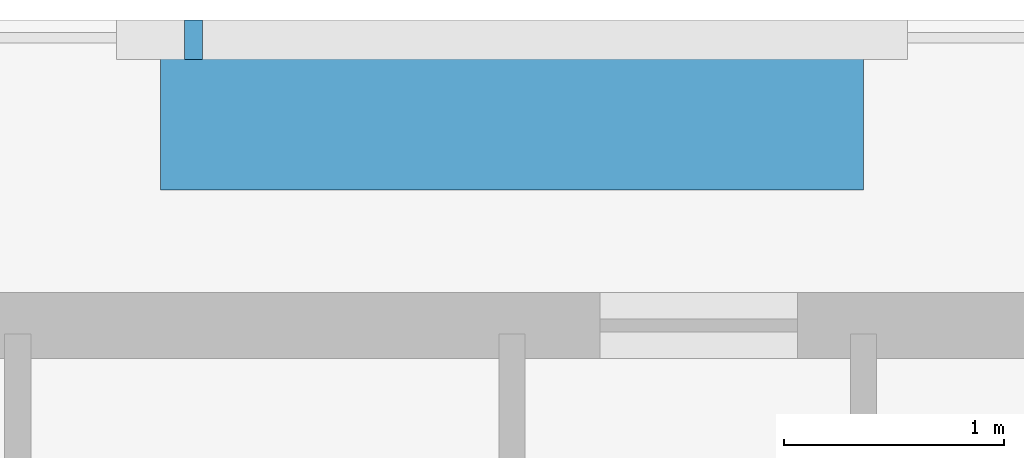
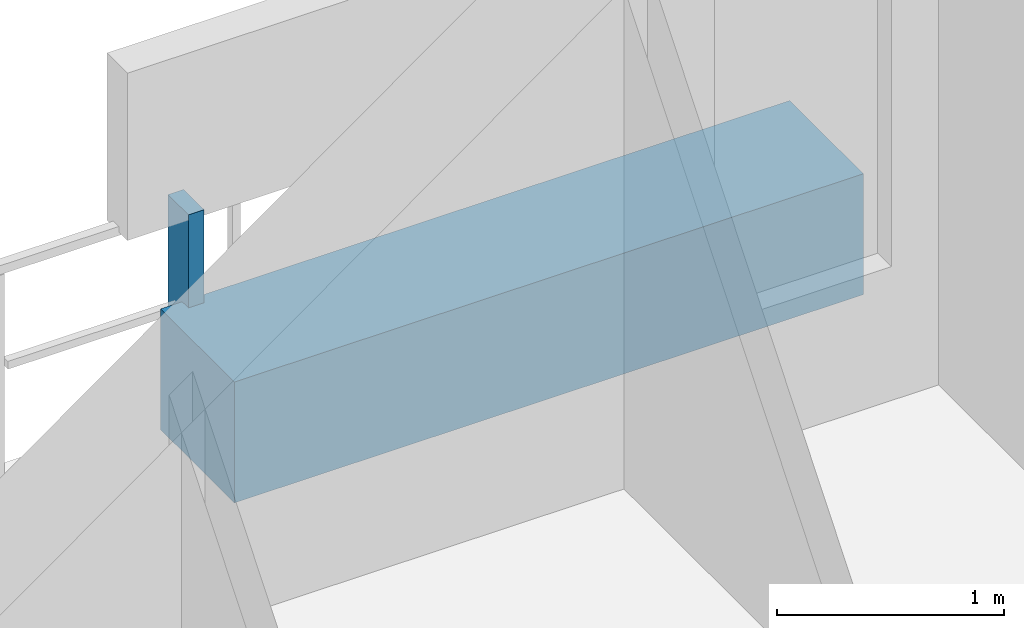
# One storey, part 29 of 33: 2 discrete accessories.
"""IFC4 building model written with IfcOpenShell, lengths in metres."""

from ifc_helpers import new_model, si_unit, direction, frame, origin, origin_2d, place, context, subcontext, project, spatial, rectangle, extrude, material, type_object, element, save


model = new_model("IFC4")

# Units and contexts
model_context = context("Model", 3, precision=1e-05, world=origin(), true_north=direction((0.0, 1.0)))
body_context = subcontext(model_context, "Body", "Model", "MODEL_VIEW")
ifc_project = project(units=[si_unit("LENGTHUNIT", "METRE"), si_unit("AREAUNIT", "SQUARE_METRE"), si_unit("VOLUMEUNIT", "CUBIC_METRE"), si_unit("PLANEANGLEUNIT", "RADIAN"), si_unit("MASSUNIT", "GRAM", prefix="KILO")], contexts=[model_context])

# Site, building, storey
site_placement = place(None, origin())
site = spatial("IfcSite", under=ifc_project, at=site_placement, CompositionType="ELEMENT")
building_placement = place(site_placement, origin())
building = spatial("IfcBuilding", under=site, at=building_placement, Name="Thornwick Lancets Civic Towers", CompositionType="ELEMENT")
storey_placement = place(building_placement, frame((0.0, 0.0, 189.300048828125)))
storey = spatial("IfcBuildingStorey", under=building, at=storey_placement, Name="L50", CompositionType="ELEMENT", Elevation=189.300048828125)

# Discrete accessories
ifc_material_1 = material(Name="Planted terracotta greenery planter", Category="masonry")
discrete_accessory_type_1 = type_object("IfcDiscreteAccessoryType", Name="ACC_PLANTER_BOX", PredefinedType="USERDEFINED", material=ifc_material_1)
discrete_accessory_1_placement = place(storey_placement, frame((88.5, 51.699951171875, 0.0), z_axis=(0.0, 0.0, 1.0), x_axis=(1.0, 0.0, 0.0)))
element("IfcDiscreteAccessory", 1, at=discrete_accessory_1_placement, inside=storey, type_object=discrete_accessory_type_1, Name="L50 Tower B Balcony Greenery Planter N", ObjectType="PLANTER", PredefinedType="USERDEFINED", context=body_context, shape_type="SweptSolid", body=[
    extrude(rectangle(XDim=3.199951171875, YDim=0.64990234375, at=origin_2d()), origin(), (0.0, 0.0, 1.0), 0.64990234375),
])
ifc_material_2 = material(Name="Stainless steel S355", Category="steel")
discrete_accessory_type_2 = type_object("IfcDiscreteAccessoryType", Name="ACC_SCREEN_BRACKET", PredefinedType="BRACKET", material=ifc_material_2)
discrete_accessory_2_placement = place(storey_placement, frame((87.050048828125, 52.06005859375, 0.0), z_axis=(0.0, 0.0, 1.0), x_axis=(1.0, 0.0, 0.0)))
element("IfcDiscreteAccessory", 2, at=discrete_accessory_2_placement, inside=storey, type_object=discrete_accessory_type_2, Name="L50 Tower B Balcony Screen Stanchion Bracket N-1", PredefinedType="BRACKET", context=body_context, shape_type="SweptSolid", body=[
    extrude(rectangle(XDim=0.080078125, YDim=0.179931640625, at=origin_2d()), origin(), (0.0, 0.0, 1.0), 1.14990234375),
])

save(model, "model.ifc")
